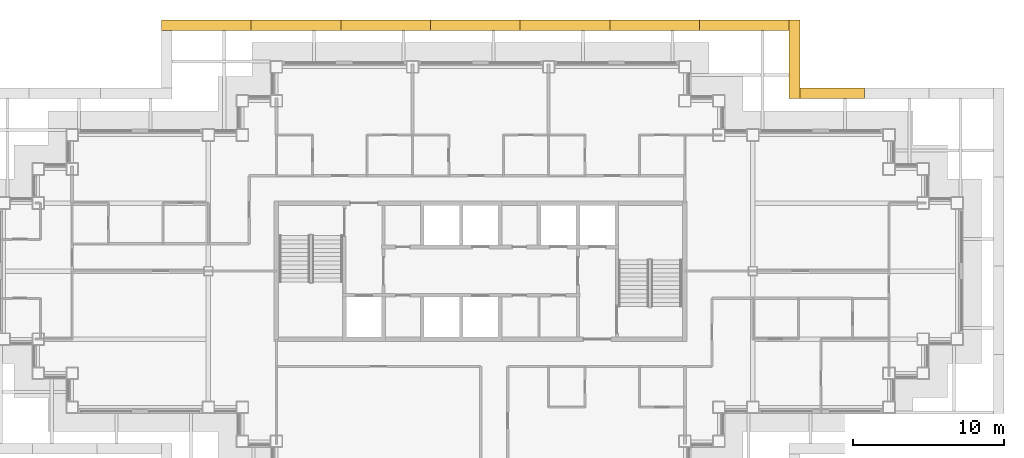
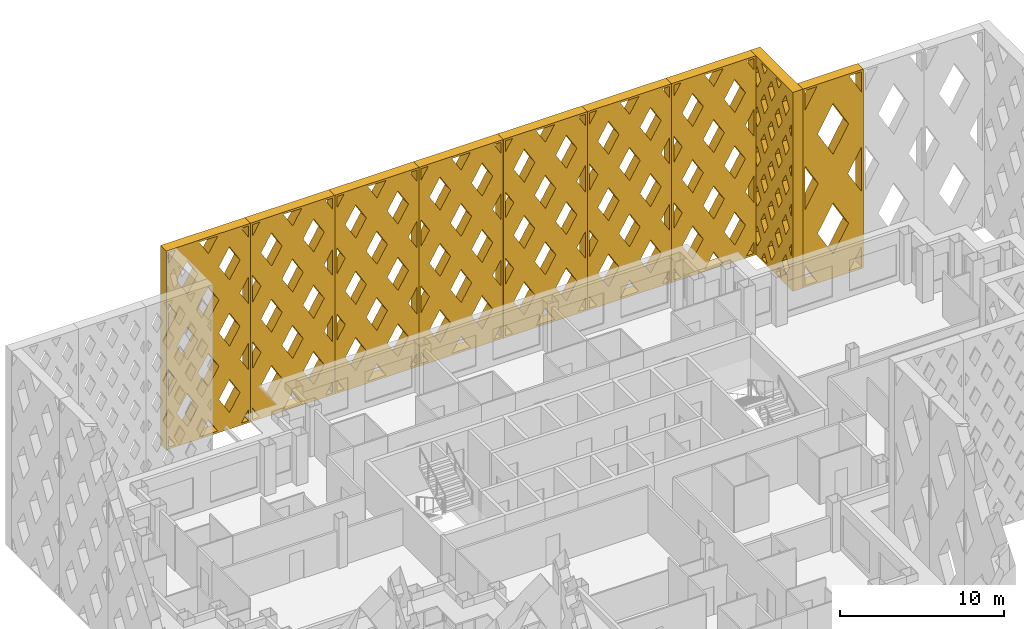
# One storey, part 18 of 19: 9 shading devices.
"""IFC4 building model written with IfcOpenShell, lengths in metres."""

from ifc_helpers import new_model, si_unit, direction, frame, origin, place, context, subcontext, project, spatial, polyline, outline, extrude, material, type_object, element, save


model = new_model("IFC4")

# Units and contexts
model_context = context("Model", 3, precision=1e-05, world=origin(), true_north=direction((0.0, 1.0)))
body_context = subcontext(model_context, "Body", "Model", "MODEL_VIEW")
ifc_project = project(units=[si_unit("LENGTHUNIT", "METRE"), si_unit("AREAUNIT", "SQUARE_METRE"), si_unit("VOLUMEUNIT", "CUBIC_METRE"), si_unit("PLANEANGLEUNIT", "RADIAN"), si_unit("MASSUNIT", "GRAM", prefix="KILO")], contexts=[model_context])

# Site, building, storey
site_placement = place(None, origin())
site = spatial("IfcSite", under=ifc_project, at=site_placement, CompositionType="ELEMENT")
building_placement = place(site_placement, origin())
building = spatial("IfcBuilding", under=site, at=building_placement, Name="Caravel Reach Hotel and Residences", CompositionType="ELEMENT")
storey_placement = place(building_placement, frame((0.0, 0.0, 150.60009765625)))
storey = spatial("IfcBuildingStorey", under=building, at=storey_placement, Name="L37", CompositionType="ELEMENT", Elevation=150.60009765625)

# Shading devices
ifc_material_1 = material(Name="Black powder-coated aluminium", Category="aluminium")
shading_device_type_1 = type_object("IfcShadingDeviceType", Name="Diamond lattice screen panel 4267 x 14800", PredefinedType="USERDEFINED", material=ifc_material_1)
shading_device_1_placement = place(storey_placement, frame((56.86669921875, 38.39990234375, 0.0), z_axis=(0.0, 1.0, 0.0), x_axis=(-1.0, 0.0, 0.0)))
element("IfcShadingDevice", 1, at=shading_device_1_placement, inside=storey, type_object=shading_device_type_1, Name="Lattice screen L37-L40 8.3", ObjectType="SCREEN", PredefinedType="USERDEFINED", context=body_context, shape_type="SweptSolid", body=[
    extrude(outline(polyline([(0.0, 0.0), (4.2666015625, 0.0), (4.2666015625, 14.800048828125), (0.0, 14.800048828125), (0.0, 0.0)]), holes=[polyline([(1.005615234375, 0.14990234375), (0.14990234375, 1.634033203125), (0.14990234375, 0.14990234375), (1.005615234375, 0.14990234375)]), polyline([(1.092041015625, 7.39990234375), (0.14990234375, 9.033935546875), (0.14990234375, 5.76611328125), (1.092041015625, 7.39990234375)]), polyline([(0.14990234375, 13.166015625), (1.005615234375, 14.64990234375), (0.14990234375, 14.64990234375), (0.14990234375, 13.166015625)]), polyline([(2.13330078125, 5.593994140625), (1.041259765625, 3.699951171875), (2.13330078125, 1.805908203125), (3.225341796875, 3.699951171875), (2.13330078125, 5.593994140625)]), polyline([(2.13330078125, 12.994140625), (1.041259765625, 11.10009765625), (2.13330078125, 9.205810546875), (3.225341796875, 11.10009765625), (2.13330078125, 12.994140625)]), polyline([(4.11669921875, 1.634033203125), (3.260986328125, 0.14990234375), (4.11669921875, 0.14990234375), (4.11669921875, 1.634033203125)]), polyline([(3.174560546875, 7.39990234375), (4.11669921875, 5.76611328125), (4.11669921875, 9.033935546875), (3.174560546875, 7.39990234375)]), polyline([(3.260986328125, 14.64990234375), (4.11669921875, 13.166015625), (4.11669921875, 14.64990234375), (3.260986328125, 14.64990234375)])]), origin(), (0.0, 0.0, 1.0), 0.7001953125),
])
ifc_material_2 = material(Name="Black powder-coated aluminium", Category="aluminium")
shading_device_type_2 = type_object("IfcShadingDeviceType", Name="Diamond lattice screen panel 5200 x 14800", PredefinedType="USERDEFINED", material=ifc_material_2)
shading_device_2_placement = place(storey_placement, frame((51.89990234375, 38.39990234375, 0.0), z_axis=(1.0, 0.0, 0.0), x_axis=(0.0, 1.0, 0.0)))
element("IfcShadingDevice", 2, at=shading_device_2_placement, inside=storey, type_object=shading_device_type_2, Name="Lattice screen L37-L40 9.1", ObjectType="SCREEN", PredefinedType="USERDEFINED", context=body_context, shape_type="SweptSolid", body=[
    extrude(outline(polyline([(0.0, 0.0), (5.199951171875, 0.0), (5.199951171875, 14.800048828125), (0.0, 14.800048828125), (0.0, 0.0)]), holes=[polyline([(0.436767578125, 2.9599609375), (0.14990234375, 3.449462890625), (0.14990234375, 2.470458984375), (0.436767578125, 2.9599609375)]), polyline([(0.436767578125, 5.919921875), (0.14990234375, 6.409423828125), (0.14990234375, 5.430419921875), (0.436767578125, 5.919921875)]), polyline([(0.436767578125, 8.8798828125), (0.14990234375, 9.36962890625), (0.14990234375, 8.390380859375), (0.436767578125, 8.8798828125)]), polyline([(0.436767578125, 11.840087890625), (0.14990234375, 12.32958984375), (0.14990234375, 11.3505859375), (0.436767578125, 11.840087890625)]), polyline([(0.86669921875, 2.2255859375), (0.429931640625, 1.47998046875), (0.86669921875, 0.734375), (1.30322265625, 1.47998046875), (0.86669921875, 2.2255859375)]), polyline([(0.86669921875, 5.185791015625), (0.429931640625, 4.43994140625), (0.86669921875, 3.6943359375), (1.30322265625, 4.43994140625), (0.86669921875, 5.185791015625)]), polyline([(0.86669921875, 8.145751953125), (0.429931640625, 7.39990234375), (0.86669921875, 6.654296875), (1.30322265625, 7.39990234375), (0.86669921875, 8.145751953125)]), polyline([(0.86669921875, 11.105712890625), (0.429931640625, 10.360107421875), (0.86669921875, 9.6142578125), (1.30322265625, 10.360107421875), (0.86669921875, 11.105712890625)]), polyline([(0.86669921875, 14.065673828125), (0.429931640625, 13.320068359375), (0.86669921875, 12.57421875), (1.30322265625, 13.320068359375), (0.86669921875, 14.065673828125)]), polyline([(1.7333984375, 0.74560546875), (1.384521484375, 0.14990234375), (2.08203125, 0.14990234375), (1.7333984375, 0.74560546875)]), polyline([(1.7333984375, 3.70556640625), (1.296630859375, 2.9599609375), (1.7333984375, 2.21435546875), (2.169921875, 2.9599609375), (1.7333984375, 3.70556640625)]), polyline([(1.7333984375, 6.665771484375), (1.296630859375, 5.919921875), (1.7333984375, 5.17431640625), (2.169921875, 5.919921875), (1.7333984375, 6.665771484375)]), polyline([(1.7333984375, 9.625732421875), (1.296630859375, 8.8798828125), (1.7333984375, 8.13427734375), (2.169921875, 8.8798828125), (1.7333984375, 9.625732421875)]), polyline([(1.7333984375, 12.585693359375), (1.296630859375, 11.840087890625), (1.7333984375, 11.09423828125), (2.169921875, 11.840087890625), (1.7333984375, 12.585693359375)]), polyline([(1.7333984375, 14.054443359375), (2.08203125, 14.64990234375), (1.384521484375, 14.64990234375), (1.7333984375, 14.054443359375)]), polyline([(2.60009765625, 2.2255859375), (2.163330078125, 1.47998046875), (2.60009765625, 0.734375), (3.03662109375, 1.47998046875), (2.60009765625, 2.2255859375)]), polyline([(2.60009765625, 5.185791015625), (2.163330078125, 4.43994140625), (2.60009765625, 3.6943359375), (3.03662109375, 4.43994140625), (2.60009765625, 5.185791015625)]), polyline([(2.60009765625, 8.145751953125), (2.163330078125, 7.39990234375), (2.60009765625, 6.654296875), (3.03662109375, 7.39990234375), (2.60009765625, 8.145751953125)]), polyline([(2.60009765625, 11.105712890625), (2.163330078125, 10.360107421875), (2.60009765625, 9.6142578125), (3.03662109375, 10.360107421875), (2.60009765625, 11.105712890625)]), polyline([(2.60009765625, 14.065673828125), (2.163330078125, 13.320068359375), (2.60009765625, 12.57421875), (3.03662109375, 13.320068359375), (2.60009765625, 14.065673828125)]), polyline([(3.466552734375, 0.74560546875), (3.117919921875, 0.14990234375), (3.8154296875, 0.14990234375), (3.466552734375, 0.74560546875)]), polyline([(3.466552734375, 3.70556640625), (3.030029296875, 2.9599609375), (3.466552734375, 2.21435546875), (3.9033203125, 2.9599609375), (3.466552734375, 3.70556640625)]), polyline([(3.466552734375, 6.665771484375), (3.030029296875, 5.919921875), (3.466552734375, 5.17431640625), (3.9033203125, 5.919921875), (3.466552734375, 6.665771484375)]), polyline([(3.466552734375, 9.625732421875), (3.030029296875, 8.8798828125), (3.466552734375, 8.13427734375), (3.9033203125, 8.8798828125), (3.466552734375, 9.625732421875)]), polyline([(3.466552734375, 12.585693359375), (3.030029296875, 11.840087890625), (3.466552734375, 11.09423828125), (3.9033203125, 11.840087890625), (3.466552734375, 12.585693359375)]), polyline([(3.466552734375, 14.054443359375), (3.8154296875, 14.64990234375), (3.117919921875, 14.64990234375), (3.466552734375, 14.054443359375)]), polyline([(4.333251953125, 2.2255859375), (3.896728515625, 1.47998046875), (4.333251953125, 0.734375), (4.77001953125, 1.47998046875), (4.333251953125, 2.2255859375)]), polyline([(4.333251953125, 5.185791015625), (3.896728515625, 4.43994140625), (4.333251953125, 3.6943359375), (4.77001953125, 4.43994140625), (4.333251953125, 5.185791015625)]), polyline([(4.333251953125, 8.145751953125), (3.896728515625, 7.39990234375), (4.333251953125, 6.654296875), (4.77001953125, 7.39990234375), (4.333251953125, 8.145751953125)]), polyline([(4.333251953125, 11.105712890625), (3.896728515625, 10.360107421875), (4.333251953125, 9.6142578125), (4.77001953125, 10.360107421875), (4.333251953125, 11.105712890625)]), polyline([(4.333251953125, 14.065673828125), (3.896728515625, 13.320068359375), (4.333251953125, 12.57421875), (4.77001953125, 13.320068359375), (4.333251953125, 14.065673828125)]), polyline([(4.763427734375, 2.9599609375), (5.050048828125, 2.470458984375), (5.050048828125, 3.449462890625), (4.763427734375, 2.9599609375)]), polyline([(4.763427734375, 5.919921875), (5.050048828125, 5.430419921875), (5.050048828125, 6.409423828125), (4.763427734375, 5.919921875)]), polyline([(4.763427734375, 8.8798828125), (5.050048828125, 8.390380859375), (5.050048828125, 9.36962890625), (4.763427734375, 8.8798828125)]), polyline([(4.763427734375, 11.840087890625), (5.050048828125, 11.3505859375), (5.050048828125, 12.32958984375), (4.763427734375, 11.840087890625)])]), origin(), (0.0, 0.0, 1.0), 0.7001953125),
])
ifc_material_3 = material(Name="Black powder-coated aluminium", Category="aluminium")
shading_device_type_3 = type_object("IfcShadingDeviceType", Name="Diamond lattice screen panel 5929 x 14800", PredefinedType="USERDEFINED", material=ifc_material_3)
shading_device_3_placement = place(storey_placement, frame((51.89990234375, 42.89990234375, 0.0), z_axis=(0.0, 1.0, 0.0), x_axis=(-1.0, 0.0, 0.0)))
element("IfcShadingDevice", 3, at=shading_device_3_placement, inside=storey, type_object=shading_device_type_3, Name="Lattice screen L37-L40 10.1", ObjectType="SCREEN", PredefinedType="USERDEFINED", context=body_context, shape_type="SweptSolid", body=[
    extrude(outline(polyline([(0.0, 0.0), (5.928466796875, 0.0), (5.928466796875, 14.800048828125), (0.0, 14.800048828125), (0.0, 0.0)]), holes=[polyline([(0.65283203125, 0.14990234375), (0.14990234375, 0.987060546875), (0.14990234375, 0.14990234375), (0.65283203125, 0.14990234375)]), polyline([(0.742919921875, 4.933349609375), (0.14990234375, 5.92041015625), (0.14990234375, 3.9462890625), (0.742919921875, 4.933349609375)]), polyline([(0.742919921875, 9.86669921875), (0.14990234375, 10.853515625), (0.14990234375, 8.879638671875), (0.742919921875, 9.86669921875)]), polyline([(0.14990234375, 13.81298828125), (0.65283203125, 14.64990234375), (0.14990234375, 14.64990234375), (0.14990234375, 13.81298828125)]), polyline([(1.482177734375, 3.703369140625), (0.739013671875, 2.466552734375), (1.482177734375, 1.22998046875), (2.22509765625, 2.466552734375), (1.482177734375, 3.703369140625)]), polyline([(1.482177734375, 8.63671875), (0.739013671875, 7.39990234375), (1.482177734375, 6.163330078125), (2.22509765625, 7.39990234375), (1.482177734375, 8.63671875)]), polyline([(1.482177734375, 13.56982421875), (0.739013671875, 12.333251953125), (1.482177734375, 11.0966796875), (2.22509765625, 12.333251953125), (1.482177734375, 13.56982421875)]), polyline([(2.96435546875, 1.236572265625), (2.311279296875, 0.14990234375), (3.6171875, 0.14990234375), (2.96435546875, 1.236572265625)]), polyline([(2.96435546875, 6.169921875), (2.22119140625, 4.933349609375), (2.96435546875, 3.69677734375), (3.707275390625, 4.933349609375), (2.96435546875, 6.169921875)]), polyline([(2.96435546875, 11.103271484375), (2.22119140625, 9.86669921875), (2.96435546875, 8.630126953125), (3.707275390625, 9.86669921875), (2.96435546875, 11.103271484375)]), polyline([(2.96435546875, 13.5634765625), (3.6171875, 14.64990234375), (2.311279296875, 14.64990234375), (2.96435546875, 13.5634765625)]), polyline([(4.446533203125, 3.703369140625), (3.703369140625, 2.466552734375), (4.446533203125, 1.22998046875), (5.189453125, 2.466552734375), (4.446533203125, 3.703369140625)]), polyline([(4.446533203125, 8.63671875), (3.703369140625, 7.39990234375), (4.446533203125, 6.163330078125), (5.189453125, 7.39990234375), (4.446533203125, 8.63671875)]), polyline([(4.446533203125, 13.56982421875), (3.703369140625, 12.333251953125), (4.446533203125, 11.0966796875), (5.189453125, 12.333251953125), (4.446533203125, 13.56982421875)]), polyline([(5.778564453125, 0.987060546875), (5.275634765625, 0.14990234375), (5.778564453125, 0.14990234375), (5.778564453125, 0.987060546875)]), polyline([(5.185546875, 4.933349609375), (5.778564453125, 3.9462890625), (5.778564453125, 5.92041015625), (5.185546875, 4.933349609375)]), polyline([(5.185546875, 9.86669921875), (5.778564453125, 8.879638671875), (5.778564453125, 10.853515625), (5.185546875, 9.86669921875)]), polyline([(5.275634765625, 14.64990234375), (5.778564453125, 13.81298828125), (5.778564453125, 14.64990234375), (5.275634765625, 14.64990234375)])]), origin(), (0.0, 0.0, 1.0), 0.7001953125),
])
shading_device_4_placement = place(storey_placement, frame((45.971435546875, 42.89990234375, 0.0), z_axis=(0.0, 1.0, 0.0), x_axis=(-1.0, 0.0, 0.0)))
element("IfcShadingDevice", 4, at=shading_device_4_placement, inside=storey, type_object=shading_device_type_3, Name="Lattice screen L37-L40 10.2", ObjectType="SCREEN", PredefinedType="USERDEFINED", context=body_context, shape_type="SweptSolid", body=[
    extrude(outline(polyline([(0.0, 0.0), (5.928466796875, 0.0), (5.928466796875, 14.800048828125), (0.0, 14.800048828125), (0.0, 0.0)]), holes=[polyline([(0.65283203125, 0.14990234375), (0.14990234375, 0.987060546875), (0.14990234375, 0.14990234375), (0.65283203125, 0.14990234375)]), polyline([(0.742919921875, 4.933349609375), (0.14990234375, 5.92041015625), (0.14990234375, 3.9462890625), (0.742919921875, 4.933349609375)]), polyline([(0.742919921875, 9.86669921875), (0.14990234375, 10.853515625), (0.14990234375, 8.879638671875), (0.742919921875, 9.86669921875)]), polyline([(0.14990234375, 13.81298828125), (0.65283203125, 14.64990234375), (0.14990234375, 14.64990234375), (0.14990234375, 13.81298828125)]), polyline([(1.482177734375, 3.703369140625), (0.739013671875, 2.466552734375), (1.482177734375, 1.22998046875), (2.22509765625, 2.466552734375), (1.482177734375, 3.703369140625)]), polyline([(1.482177734375, 8.63671875), (0.739013671875, 7.39990234375), (1.482177734375, 6.163330078125), (2.22509765625, 7.39990234375), (1.482177734375, 8.63671875)]), polyline([(1.482177734375, 13.56982421875), (0.739013671875, 12.333251953125), (1.482177734375, 11.0966796875), (2.22509765625, 12.333251953125), (1.482177734375, 13.56982421875)]), polyline([(2.96435546875, 1.236572265625), (2.311279296875, 0.14990234375), (3.6171875, 0.14990234375), (2.96435546875, 1.236572265625)]), polyline([(2.96435546875, 6.169921875), (2.22119140625, 4.933349609375), (2.96435546875, 3.69677734375), (3.707275390625, 4.933349609375), (2.96435546875, 6.169921875)]), polyline([(2.96435546875, 11.103271484375), (2.22119140625, 9.86669921875), (2.96435546875, 8.630126953125), (3.707275390625, 9.86669921875), (2.96435546875, 11.103271484375)]), polyline([(2.96435546875, 13.5634765625), (3.6171875, 14.64990234375), (2.311279296875, 14.64990234375), (2.96435546875, 13.5634765625)]), polyline([(4.446533203125, 3.703369140625), (3.703369140625, 2.466552734375), (4.446533203125, 1.22998046875), (5.189453125, 2.466552734375), (4.446533203125, 3.703369140625)]), polyline([(4.446533203125, 8.63671875), (3.703369140625, 7.39990234375), (4.446533203125, 6.163330078125), (5.189453125, 7.39990234375), (4.446533203125, 8.63671875)]), polyline([(4.446533203125, 13.56982421875), (3.703369140625, 12.333251953125), (4.446533203125, 11.0966796875), (5.189453125, 12.333251953125), (4.446533203125, 13.56982421875)]), polyline([(5.778564453125, 0.987060546875), (5.275634765625, 0.14990234375), (5.778564453125, 0.14990234375), (5.778564453125, 0.987060546875)]), polyline([(5.185546875, 4.933349609375), (5.778564453125, 3.9462890625), (5.778564453125, 5.92041015625), (5.185546875, 4.933349609375)]), polyline([(5.185546875, 9.86669921875), (5.778564453125, 8.879638671875), (5.778564453125, 10.853515625), (5.185546875, 9.86669921875)]), polyline([(5.275634765625, 14.64990234375), (5.778564453125, 13.81298828125), (5.778564453125, 14.64990234375), (5.275634765625, 14.64990234375)])]), origin(), (0.0, 0.0, 1.0), 0.7001953125),
])
shading_device_5_placement = place(storey_placement, frame((40.04296875, 42.89990234375, 0.0), z_axis=(0.0, 1.0, 0.0), x_axis=(-1.0, 0.0, 0.0)))
element("IfcShadingDevice", 5, at=shading_device_5_placement, inside=storey, type_object=shading_device_type_3, Name="Lattice screen L37-L40 10.3", ObjectType="SCREEN", PredefinedType="USERDEFINED", context=body_context, shape_type="SweptSolid", body=[
    extrude(outline(polyline([(0.0, 0.0), (5.928466796875, 0.0), (5.928466796875, 14.800048828125), (0.0, 14.800048828125), (0.0, 0.0)]), holes=[polyline([(0.65283203125, 0.14990234375), (0.14990234375, 0.987060546875), (0.14990234375, 0.14990234375), (0.65283203125, 0.14990234375)]), polyline([(0.742919921875, 4.933349609375), (0.14990234375, 5.92041015625), (0.14990234375, 3.9462890625), (0.742919921875, 4.933349609375)]), polyline([(0.742919921875, 9.86669921875), (0.14990234375, 10.853515625), (0.14990234375, 8.879638671875), (0.742919921875, 9.86669921875)]), polyline([(0.14990234375, 13.81298828125), (0.65283203125, 14.64990234375), (0.14990234375, 14.64990234375), (0.14990234375, 13.81298828125)]), polyline([(1.482177734375, 3.703369140625), (0.739013671875, 2.466552734375), (1.482177734375, 1.22998046875), (2.22509765625, 2.466552734375), (1.482177734375, 3.703369140625)]), polyline([(1.482177734375, 8.63671875), (0.739013671875, 7.39990234375), (1.482177734375, 6.163330078125), (2.22509765625, 7.39990234375), (1.482177734375, 8.63671875)]), polyline([(1.482177734375, 13.56982421875), (0.739013671875, 12.333251953125), (1.482177734375, 11.0966796875), (2.22509765625, 12.333251953125), (1.482177734375, 13.56982421875)]), polyline([(2.96435546875, 1.236572265625), (2.311279296875, 0.14990234375), (3.6171875, 0.14990234375), (2.96435546875, 1.236572265625)]), polyline([(2.96435546875, 6.169921875), (2.22119140625, 4.933349609375), (2.96435546875, 3.69677734375), (3.707275390625, 4.933349609375), (2.96435546875, 6.169921875)]), polyline([(2.96435546875, 11.103271484375), (2.22119140625, 9.86669921875), (2.96435546875, 8.630126953125), (3.707275390625, 9.86669921875), (2.96435546875, 11.103271484375)]), polyline([(2.96435546875, 13.5634765625), (3.6171875, 14.64990234375), (2.311279296875, 14.64990234375), (2.96435546875, 13.5634765625)]), polyline([(4.446533203125, 3.703369140625), (3.703369140625, 2.466552734375), (4.446533203125, 1.22998046875), (5.189453125, 2.466552734375), (4.446533203125, 3.703369140625)]), polyline([(4.446533203125, 8.63671875), (3.703369140625, 7.39990234375), (4.446533203125, 6.163330078125), (5.189453125, 7.39990234375), (4.446533203125, 8.63671875)]), polyline([(4.446533203125, 13.56982421875), (3.703369140625, 12.333251953125), (4.446533203125, 11.0966796875), (5.189453125, 12.333251953125), (4.446533203125, 13.56982421875)]), polyline([(5.778564453125, 0.987060546875), (5.275634765625, 0.14990234375), (5.778564453125, 0.14990234375), (5.778564453125, 0.987060546875)]), polyline([(5.185546875, 4.933349609375), (5.778564453125, 3.9462890625), (5.778564453125, 5.92041015625), (5.185546875, 4.933349609375)]), polyline([(5.185546875, 9.86669921875), (5.778564453125, 8.879638671875), (5.778564453125, 10.853515625), (5.185546875, 9.86669921875)]), polyline([(5.275634765625, 14.64990234375), (5.778564453125, 13.81298828125), (5.778564453125, 14.64990234375), (5.275634765625, 14.64990234375)])]), origin(), (0.0, 0.0, 1.0), 0.7001953125),
])
shading_device_6_placement = place(storey_placement, frame((34.1142578125, 42.89990234375, 0.0), z_axis=(0.0, 1.0, 0.0), x_axis=(-1.0, 0.0, 0.0)))
element("IfcShadingDevice", 6, at=shading_device_6_placement, inside=storey, type_object=shading_device_type_3, Name="Lattice screen L37-L40 10.4", ObjectType="SCREEN", PredefinedType="USERDEFINED", context=body_context, shape_type="SweptSolid", body=[
    extrude(outline(polyline([(0.0, 0.0), (5.928466796875, 0.0), (5.928466796875, 14.800048828125), (0.0, 14.800048828125), (0.0, 0.0)]), holes=[polyline([(0.65283203125, 0.14990234375), (0.14990234375, 0.987060546875), (0.14990234375, 0.14990234375), (0.65283203125, 0.14990234375)]), polyline([(0.742919921875, 4.933349609375), (0.14990234375, 5.92041015625), (0.14990234375, 3.9462890625), (0.742919921875, 4.933349609375)]), polyline([(0.742919921875, 9.86669921875), (0.14990234375, 10.853515625), (0.14990234375, 8.879638671875), (0.742919921875, 9.86669921875)]), polyline([(0.14990234375, 13.81298828125), (0.65283203125, 14.64990234375), (0.14990234375, 14.64990234375), (0.14990234375, 13.81298828125)]), polyline([(1.482177734375, 3.703369140625), (0.739013671875, 2.466552734375), (1.482177734375, 1.22998046875), (2.22509765625, 2.466552734375), (1.482177734375, 3.703369140625)]), polyline([(1.482177734375, 8.63671875), (0.739013671875, 7.39990234375), (1.482177734375, 6.163330078125), (2.22509765625, 7.39990234375), (1.482177734375, 8.63671875)]), polyline([(1.482177734375, 13.56982421875), (0.739013671875, 12.333251953125), (1.482177734375, 11.0966796875), (2.22509765625, 12.333251953125), (1.482177734375, 13.56982421875)]), polyline([(2.96435546875, 1.236572265625), (2.311279296875, 0.14990234375), (3.6171875, 0.14990234375), (2.96435546875, 1.236572265625)]), polyline([(2.96435546875, 6.169921875), (2.22119140625, 4.933349609375), (2.96435546875, 3.69677734375), (3.707275390625, 4.933349609375), (2.96435546875, 6.169921875)]), polyline([(2.96435546875, 11.103271484375), (2.22119140625, 9.86669921875), (2.96435546875, 8.630126953125), (3.707275390625, 9.86669921875), (2.96435546875, 11.103271484375)]), polyline([(2.96435546875, 13.5634765625), (3.6171875, 14.64990234375), (2.311279296875, 14.64990234375), (2.96435546875, 13.5634765625)]), polyline([(4.446533203125, 3.703369140625), (3.703369140625, 2.466552734375), (4.446533203125, 1.22998046875), (5.189453125, 2.466552734375), (4.446533203125, 3.703369140625)]), polyline([(4.446533203125, 8.63671875), (3.703369140625, 7.39990234375), (4.446533203125, 6.163330078125), (5.189453125, 7.39990234375), (4.446533203125, 8.63671875)]), polyline([(4.446533203125, 13.56982421875), (3.703369140625, 12.333251953125), (4.446533203125, 11.0966796875), (5.189453125, 12.333251953125), (4.446533203125, 13.56982421875)]), polyline([(5.778564453125, 0.987060546875), (5.275634765625, 0.14990234375), (5.778564453125, 0.14990234375), (5.778564453125, 0.987060546875)]), polyline([(5.185546875, 4.933349609375), (5.778564453125, 3.9462890625), (5.778564453125, 5.92041015625), (5.185546875, 4.933349609375)]), polyline([(5.185546875, 9.86669921875), (5.778564453125, 8.879638671875), (5.778564453125, 10.853515625), (5.185546875, 9.86669921875)]), polyline([(5.275634765625, 14.64990234375), (5.778564453125, 13.81298828125), (5.778564453125, 14.64990234375), (5.275634765625, 14.64990234375)])]), origin(), (0.0, 0.0, 1.0), 0.7001953125),
])
shading_device_7_placement = place(storey_placement, frame((28.185791015625, 42.89990234375, 0.0), z_axis=(0.0, 1.0, 0.0), x_axis=(-1.0, 0.0, 0.0)))
element("IfcShadingDevice", 7, at=shading_device_7_placement, inside=storey, type_object=shading_device_type_3, Name="Lattice screen L37-L40 10.5", ObjectType="SCREEN", PredefinedType="USERDEFINED", context=body_context, shape_type="SweptSolid", body=[
    extrude(outline(polyline([(0.0, 0.0), (5.928466796875, 0.0), (5.928466796875, 14.800048828125), (0.0, 14.800048828125), (0.0, 0.0)]), holes=[polyline([(0.65283203125, 0.14990234375), (0.14990234375, 0.987060546875), (0.14990234375, 0.14990234375), (0.65283203125, 0.14990234375)]), polyline([(0.742919921875, 4.933349609375), (0.14990234375, 5.92041015625), (0.14990234375, 3.9462890625), (0.742919921875, 4.933349609375)]), polyline([(0.742919921875, 9.86669921875), (0.14990234375, 10.853515625), (0.14990234375, 8.879638671875), (0.742919921875, 9.86669921875)]), polyline([(0.14990234375, 13.81298828125), (0.65283203125, 14.64990234375), (0.14990234375, 14.64990234375), (0.14990234375, 13.81298828125)]), polyline([(1.482177734375, 3.703369140625), (0.739013671875, 2.466552734375), (1.482177734375, 1.22998046875), (2.22509765625, 2.466552734375), (1.482177734375, 3.703369140625)]), polyline([(1.482177734375, 8.63671875), (0.739013671875, 7.39990234375), (1.482177734375, 6.163330078125), (2.22509765625, 7.39990234375), (1.482177734375, 8.63671875)]), polyline([(1.482177734375, 13.56982421875), (0.739013671875, 12.333251953125), (1.482177734375, 11.0966796875), (2.22509765625, 12.333251953125), (1.482177734375, 13.56982421875)]), polyline([(2.96435546875, 1.236572265625), (2.311279296875, 0.14990234375), (3.6171875, 0.14990234375), (2.96435546875, 1.236572265625)]), polyline([(2.96435546875, 6.169921875), (2.22119140625, 4.933349609375), (2.96435546875, 3.69677734375), (3.707275390625, 4.933349609375), (2.96435546875, 6.169921875)]), polyline([(2.96435546875, 11.103271484375), (2.22119140625, 9.86669921875), (2.96435546875, 8.630126953125), (3.707275390625, 9.86669921875), (2.96435546875, 11.103271484375)]), polyline([(2.96435546875, 13.5634765625), (3.6171875, 14.64990234375), (2.311279296875, 14.64990234375), (2.96435546875, 13.5634765625)]), polyline([(4.446533203125, 3.703369140625), (3.703369140625, 2.466552734375), (4.446533203125, 1.22998046875), (5.189453125, 2.466552734375), (4.446533203125, 3.703369140625)]), polyline([(4.446533203125, 8.63671875), (3.703369140625, 7.39990234375), (4.446533203125, 6.163330078125), (5.189453125, 7.39990234375), (4.446533203125, 8.63671875)]), polyline([(4.446533203125, 13.56982421875), (3.703369140625, 12.333251953125), (4.446533203125, 11.0966796875), (5.189453125, 12.333251953125), (4.446533203125, 13.56982421875)]), polyline([(5.778564453125, 0.987060546875), (5.275634765625, 0.14990234375), (5.778564453125, 0.14990234375), (5.778564453125, 0.987060546875)]), polyline([(5.185546875, 4.933349609375), (5.778564453125, 3.9462890625), (5.778564453125, 5.92041015625), (5.185546875, 4.933349609375)]), polyline([(5.185546875, 9.86669921875), (5.778564453125, 8.879638671875), (5.778564453125, 10.853515625), (5.185546875, 9.86669921875)]), polyline([(5.275634765625, 14.64990234375), (5.778564453125, 13.81298828125), (5.778564453125, 14.64990234375), (5.275634765625, 14.64990234375)])]), origin(), (0.0, 0.0, 1.0), 0.7001953125),
])
shading_device_8_placement = place(storey_placement, frame((22.257080078125, 42.89990234375, 0.0), z_axis=(0.0, 1.0, 0.0), x_axis=(-1.0, 0.0, 0.0)))
element("IfcShadingDevice", 8, at=shading_device_8_placement, inside=storey, type_object=shading_device_type_3, Name="Lattice screen L37-L40 10.6", ObjectType="SCREEN", PredefinedType="USERDEFINED", context=body_context, shape_type="SweptSolid", body=[
    extrude(outline(polyline([(0.0, 0.0), (5.928466796875, 0.0), (5.928466796875, 14.800048828125), (0.0, 14.800048828125), (0.0, 0.0)]), holes=[polyline([(0.65283203125, 0.14990234375), (0.14990234375, 0.987060546875), (0.14990234375, 0.14990234375), (0.65283203125, 0.14990234375)]), polyline([(0.742919921875, 4.933349609375), (0.14990234375, 5.92041015625), (0.14990234375, 3.9462890625), (0.742919921875, 4.933349609375)]), polyline([(0.742919921875, 9.86669921875), (0.14990234375, 10.853515625), (0.14990234375, 8.879638671875), (0.742919921875, 9.86669921875)]), polyline([(0.14990234375, 13.81298828125), (0.65283203125, 14.64990234375), (0.14990234375, 14.64990234375), (0.14990234375, 13.81298828125)]), polyline([(1.482177734375, 3.703369140625), (0.739013671875, 2.466552734375), (1.482177734375, 1.22998046875), (2.22509765625, 2.466552734375), (1.482177734375, 3.703369140625)]), polyline([(1.482177734375, 8.63671875), (0.739013671875, 7.39990234375), (1.482177734375, 6.163330078125), (2.22509765625, 7.39990234375), (1.482177734375, 8.63671875)]), polyline([(1.482177734375, 13.56982421875), (0.739013671875, 12.333251953125), (1.482177734375, 11.0966796875), (2.22509765625, 12.333251953125), (1.482177734375, 13.56982421875)]), polyline([(2.96435546875, 1.236572265625), (2.311279296875, 0.14990234375), (3.6171875, 0.14990234375), (2.96435546875, 1.236572265625)]), polyline([(2.96435546875, 6.169921875), (2.22119140625, 4.933349609375), (2.96435546875, 3.69677734375), (3.707275390625, 4.933349609375), (2.96435546875, 6.169921875)]), polyline([(2.96435546875, 11.103271484375), (2.22119140625, 9.86669921875), (2.96435546875, 8.630126953125), (3.707275390625, 9.86669921875), (2.96435546875, 11.103271484375)]), polyline([(2.96435546875, 13.5634765625), (3.6171875, 14.64990234375), (2.311279296875, 14.64990234375), (2.96435546875, 13.5634765625)]), polyline([(4.446533203125, 3.703369140625), (3.703369140625, 2.466552734375), (4.446533203125, 1.22998046875), (5.189453125, 2.466552734375), (4.446533203125, 3.703369140625)]), polyline([(4.446533203125, 8.63671875), (3.703369140625, 7.39990234375), (4.446533203125, 6.163330078125), (5.189453125, 7.39990234375), (4.446533203125, 8.63671875)]), polyline([(4.446533203125, 13.56982421875), (3.703369140625, 12.333251953125), (4.446533203125, 11.0966796875), (5.189453125, 12.333251953125), (4.446533203125, 13.56982421875)]), polyline([(5.778564453125, 0.987060546875), (5.275634765625, 0.14990234375), (5.778564453125, 0.14990234375), (5.778564453125, 0.987060546875)]), polyline([(5.185546875, 4.933349609375), (5.778564453125, 3.9462890625), (5.778564453125, 5.92041015625), (5.185546875, 4.933349609375)]), polyline([(5.185546875, 9.86669921875), (5.778564453125, 8.879638671875), (5.778564453125, 10.853515625), (5.185546875, 9.86669921875)]), polyline([(5.275634765625, 14.64990234375), (5.778564453125, 13.81298828125), (5.778564453125, 14.64990234375), (5.275634765625, 14.64990234375)])]), origin(), (0.0, 0.0, 1.0), 0.7001953125),
])
shading_device_9_placement = place(storey_placement, frame((16.32861328125, 42.89990234375, 0.0), z_axis=(0.0, 1.0, 0.0), x_axis=(-1.0, 0.0, 0.0)))
element("IfcShadingDevice", 9, at=shading_device_9_placement, inside=storey, type_object=shading_device_type_3, Name="Lattice screen L37-L40 10.7", ObjectType="SCREEN", PredefinedType="USERDEFINED", context=body_context, shape_type="SweptSolid", body=[
    extrude(outline(polyline([(0.0, 0.0), (5.928466796875, 0.0), (5.928466796875, 14.800048828125), (0.0, 14.800048828125), (0.0, 0.0)]), holes=[polyline([(0.65283203125, 0.14990234375), (0.14990234375, 0.987060546875), (0.14990234375, 0.14990234375), (0.65283203125, 0.14990234375)]), polyline([(0.742919921875, 4.933349609375), (0.14990234375, 5.92041015625), (0.14990234375, 3.9462890625), (0.742919921875, 4.933349609375)]), polyline([(0.742919921875, 9.86669921875), (0.14990234375, 10.853515625), (0.14990234375, 8.879638671875), (0.742919921875, 9.86669921875)]), polyline([(0.14990234375, 13.81298828125), (0.65283203125, 14.64990234375), (0.14990234375, 14.64990234375), (0.14990234375, 13.81298828125)]), polyline([(1.482177734375, 3.703369140625), (0.739013671875, 2.466552734375), (1.482177734375, 1.22998046875), (2.22509765625, 2.466552734375), (1.482177734375, 3.703369140625)]), polyline([(1.482177734375, 8.63671875), (0.739013671875, 7.39990234375), (1.482177734375, 6.163330078125), (2.22509765625, 7.39990234375), (1.482177734375, 8.63671875)]), polyline([(1.482177734375, 13.56982421875), (0.739013671875, 12.333251953125), (1.482177734375, 11.0966796875), (2.22509765625, 12.333251953125), (1.482177734375, 13.56982421875)]), polyline([(2.96435546875, 1.236572265625), (2.311279296875, 0.14990234375), (3.6171875, 0.14990234375), (2.96435546875, 1.236572265625)]), polyline([(2.96435546875, 6.169921875), (2.22119140625, 4.933349609375), (2.96435546875, 3.69677734375), (3.707275390625, 4.933349609375), (2.96435546875, 6.169921875)]), polyline([(2.96435546875, 11.103271484375), (2.22119140625, 9.86669921875), (2.96435546875, 8.630126953125), (3.707275390625, 9.86669921875), (2.96435546875, 11.103271484375)]), polyline([(2.96435546875, 13.5634765625), (3.6171875, 14.64990234375), (2.311279296875, 14.64990234375), (2.96435546875, 13.5634765625)]), polyline([(4.446533203125, 3.703369140625), (3.703369140625, 2.466552734375), (4.446533203125, 1.22998046875), (5.189453125, 2.466552734375), (4.446533203125, 3.703369140625)]), polyline([(4.446533203125, 8.63671875), (3.703369140625, 7.39990234375), (4.446533203125, 6.163330078125), (5.189453125, 7.39990234375), (4.446533203125, 8.63671875)]), polyline([(4.446533203125, 13.56982421875), (3.703369140625, 12.333251953125), (4.446533203125, 11.0966796875), (5.189453125, 12.333251953125), (4.446533203125, 13.56982421875)]), polyline([(5.778564453125, 0.987060546875), (5.275634765625, 0.14990234375), (5.778564453125, 0.14990234375), (5.778564453125, 0.987060546875)]), polyline([(5.185546875, 4.933349609375), (5.778564453125, 3.9462890625), (5.778564453125, 5.92041015625), (5.185546875, 4.933349609375)]), polyline([(5.185546875, 9.86669921875), (5.778564453125, 8.879638671875), (5.778564453125, 10.853515625), (5.185546875, 9.86669921875)]), polyline([(5.275634765625, 14.64990234375), (5.778564453125, 13.81298828125), (5.778564453125, 14.64990234375), (5.275634765625, 14.64990234375)])]), origin(), (0.0, 0.0, 1.0), 0.7001953125),
])

save(model, "model.ifc")
